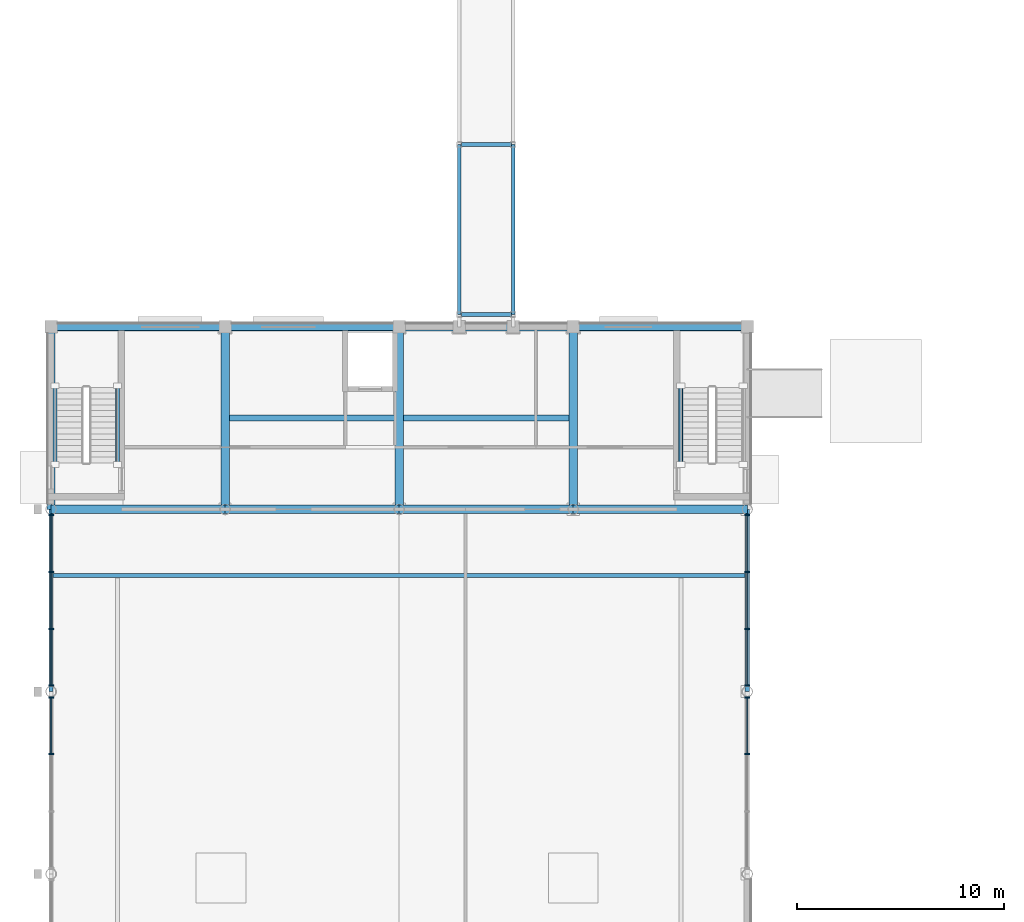
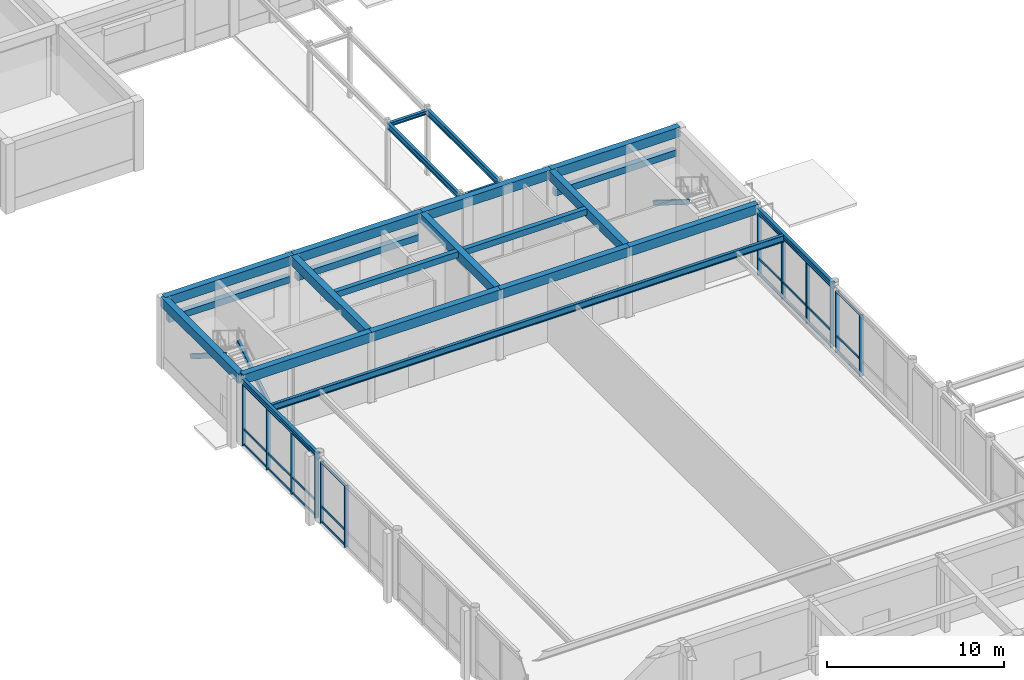
# One storey, part 14 of 58: 39 members, 24 beams, 4 elements without a shape of their own.
"""IFC4 building model written with IfcOpenShell, lengths in metres."""

from ifc_helpers import new_model, si_unit, direction, frame, origin, origin_2d, place, context, subcontext, project, spatial, rectangle, hollow_rectangle, i_section, extrude, material, material_profile, profile_set, type_object, element, aggregate, save


model = new_model("IFC4")

# Units and contexts
model_context = context("Model", 3, precision=1e-05, world=origin(), true_north=direction((0.0, 1.0)))
body_context = subcontext(model_context, "Body", "Model", "MODEL_VIEW")
ifc_project = project(units=[si_unit("LENGTHUNIT", "METRE"), si_unit("AREAUNIT", "SQUARE_METRE"), si_unit("VOLUMEUNIT", "CUBIC_METRE"), si_unit("PLANEANGLEUNIT", "RADIAN"), si_unit("MASSUNIT", "GRAM", prefix="KILO")], contexts=[model_context])

# Site, building, storey
site_placement = place(None, origin())
site = spatial("IfcSite", under=ifc_project, at=site_placement, CompositionType="ELEMENT")
building_placement = place(site_placement, origin())
building = spatial("IfcBuilding", under=site, at=building_placement, Name="Kemercrest Conservatory and Botanical Centre", CompositionType="ELEMENT")
storey_placement = place(building_placement, origin())
storey = spatial("IfcBuildingStorey", under=building, at=storey_placement, Name="L00", CompositionType="ELEMENT", Elevation=0.0)

# Beams
ifc_material_1 = material(Name="Steel CSA G40.21 350W", Category="steel")
ifc_material_profile_1 = material_profile(ifc_material_1, i_section(OverallWidth=0.180908203125, OverallDepth=0.4169921875, WebThickness=0.010986328125, FlangeThickness=0.018310546875, FilletRadius=0.01611328125, at=origin_2d()), Name="W410X85")
ifc_profile_set_1 = profile_set([ifc_material_profile_1], Name="Steel CSA G40.21 350W")
beam_type_1 = type_object("IfcBeamType", Name="BM-LB410", PredefinedType="BEAM", material=ifc_profile_set_1)
for number, where, z_axis, x_axis, name in (
    (1, (27.699951171875, 61.39990234375, 4.37158203125), (0.0, 1.0, 0.0), (-1.0, 0.0, 0.0), "Link bridge girder LB-01 SJ-2"),
    (2, (30.300048828125, 61.39990234375, 4.37158203125), (0.0, 1.0, 0.0), (-1.0, 0.0, 0.0), "Link bridge girder LB-01 SJ-2"),
):
    element("IfcBeam", number, at=place(storey_placement, frame(where, z_axis=z_axis, x_axis=x_axis)), inside=storey, type_object=beam_type_1, Name=name, PredefinedType="BEAM", context=body_context, shape_type="SweptSolid", body=[
        extrude(i_section(OverallWidth=0.180908203125, OverallDepth=0.4169921875, WebThickness=0.010986328125, FlangeThickness=0.018310546875, FilletRadius=0.01611328125, at=origin_2d()), origin(), (0.0, 0.0, 1.0), 8.2001953125),
    ])
ifc_material_2 = material(Name="Concrete C40/50", Category="concrete")
ifc_material_profile_2 = material_profile(ifc_material_2, rectangle(XDim=0.39990234375, YDim=0.64990234375, at=origin_2d()), Name="RC 400x650")
ifc_profile_set_2 = profile_set([ifc_material_profile_2], Name="Concrete C40/50")
beam_type_2 = type_object("IfcBeamType", Name="BM-RC65", PredefinedType="BEAM", material=ifc_profile_set_2)
for number, where, z_axis, x_axis, name in (
    (3, (16.39990234375, 52.0, 4.47509765625), (0.0, 1.0, 0.0), (-1.0, 0.0, 0.0), "V1BAR-L01 beam BM-RC65 02/F-G"),
    (4, (24.800048828125, 52.0, 4.47509765625), (0.0, 1.0, 0.0), (-1.0, 0.0, 0.0), "V1BAR-L01 beam BM-RC65 03/F-G"),
    (5, (33.199951171875, 52.0, 4.47509765625), (0.0, 1.0, 0.0), (-1.0, 0.0, 0.0), "V1BAR-L01 beam BM-RC65 04/F-G"),
):
    element("IfcBeam", number, at=place(storey_placement, frame(where, z_axis=z_axis, x_axis=x_axis)), inside=storey, type_object=beam_type_2, Name=name, PredefinedType="BEAM", context=body_context, shape_type="SweptSolid", body=[
        extrude(rectangle(XDim=0.39990234375, YDim=0.64990234375, at=origin_2d()), origin(), (0.0, 0.0, 1.0), 8.800048828125),
    ])
ifc_material_profile_3 = material_profile(ifc_material_1, i_section(OverallWidth=0.194091796875, OverallDepth=0.468994140625, WebThickness=0.0126953125, FlangeThickness=0.0205078125, FilletRadius=0.01806640625, at=origin_2d()), Name="W460X106")
ifc_profile_set_3 = profile_set([ifc_material_profile_3], Name="Steel CSA G40.21 350W")
beam_type_3 = type_object("IfcBeamType", Name="BM-W460", PredefinedType="BEAM", material=ifc_profile_set_3)
beam_1_placement = place(storey_placement, frame((41.5, 48.800048828125, 4.345458984375), z_axis=(-1.0, 0.0, 0.0), x_axis=(0.0, -1.0, 0.0)))
element("IfcBeam", 6, at=beam_1_placement, inside=storey, type_object=beam_type_3, Name="Conservatory canopy inner edge girder", PredefinedType="BEAM", context=body_context, shape_type="SweptSolid", body=[
    extrude(i_section(OverallWidth=0.194091796875, OverallDepth=0.468994140625, WebThickness=0.0126953125, FlangeThickness=0.0205078125, FilletRadius=0.01806640625, at=origin_2d()), origin(), (0.0, 0.0, 1.0), 33.39990234375),
])

# Curtain wall, members
ifc_material_3 = material(Name="Thermally broken aluminium and triple low-e glazing", Category="aluminium")
curtain_wall_type_1 = type_object("IfcCurtainWallType", Name="CW-03", PredefinedType="USERDEFINED", material=ifc_material_3)
curtain_wall_1_placement = place(storey_placement, origin())
curtain_wall_1 = element("IfcCurtainWall", 7, at=curtain_wall_1_placement, inside=storey, type_object=curtain_wall_type_1, Name="Unitised curtain wall CW-03 (CW:L00:V1-002)", ObjectType="UNITISED CURTAIN WALL", PredefinedType="USERDEFINED")
ifc_material_4 = material(Name="Thermally broken anodized aluminium 6063-T6", Category="aluminium")
ifc_material_profile_4 = material_profile(ifc_material_4, rectangle(XDim=0.239990234375, YDim=0.074951171875, at=origin_2d()), Name="AL MULLION 75x240")
ifc_profile_set_4 = profile_set([ifc_material_profile_4], Name="Thermally broken anodized aluminium 6063-T6")
member_type_1 = type_object("IfcMemberType", Name="CW-M225", PredefinedType="MULLION", material=ifc_profile_set_4)
member_1_placement = place(storey_placement, frame((41.60009765625, 40.18359375, 0.0), z_axis=(0.0, 0.0, 1.0), x_axis=(-1.0, 0.0, 0.0)))
member_1 = element("IfcMember", 8, at=member_1_placement, type_object=member_type_1, Name="CW-03 mullion 3", PredefinedType="MULLION", context=body_context, shape_type="SweptSolid", body=[
    extrude(rectangle(XDim=0.239990234375, YDim=0.074951171875, at=origin_2d()), origin(), (0.0, 0.0, 1.0), 4.23095703125),
])
member_2_placement = place(storey_placement, frame((41.60009765625, 42.91357421875, 0.0), z_axis=(0.0, 0.0, 1.0), x_axis=(-1.0, 0.0, 0.0)))
member_2 = element("IfcMember", 9, at=member_2_placement, type_object=member_type_1, Name="CW-03 mullion 4", PredefinedType="MULLION", context=body_context, shape_type="SweptSolid", body=[
    extrude(rectangle(XDim=0.239990234375, YDim=0.074951171875, at=origin_2d()), origin(), (0.0, 0.0, 1.0), 4.23095703125),
])

curtain_wall_type_2 = type_object("IfcCurtainWallType", Name="CW-04", PredefinedType="USERDEFINED", material=ifc_material_3)
curtain_wall_2_placement = place(storey_placement, origin())
curtain_wall_2 = element("IfcCurtainWall", 10, at=curtain_wall_2_placement, inside=storey, type_object=curtain_wall_type_2, Name="Unitised curtain wall CW-04 (CW:L00:V1-003)", ObjectType="UNITISED CURTAIN WALL", PredefinedType="USERDEFINED")
member_3_placement = place(storey_placement, frame((41.60009765625, 43.486572265625, 0.0), z_axis=(0.0, 0.0, 1.0), x_axis=(-1.0, 0.0, 0.0)))
member_3 = element("IfcMember", 11, at=member_3_placement, type_object=member_type_1, Name="CW-04 mullion 1", PredefinedType="MULLION", context=body_context, shape_type="SweptSolid", body=[
    extrude(rectangle(XDim=0.239990234375, YDim=0.074951171875, at=origin_2d()), origin(), (0.0, 0.0, 1.0), 4.23095703125),
])
member_4_placement = place(storey_placement, frame((41.60009765625, 46.21630859375, 0.0), z_axis=(0.0, 0.0, 1.0), x_axis=(-1.0, 0.0, 0.0)))
member_4 = element("IfcMember", 12, at=member_4_placement, type_object=member_type_1, Name="CW-04 mullion 2", PredefinedType="MULLION", context=body_context, shape_type="SweptSolid", body=[
    extrude(rectangle(XDim=0.239990234375, YDim=0.074951171875, at=origin_2d()), origin(), (0.0, 0.0, 1.0), 4.23095703125),
])
member_5_placement = place(storey_placement, frame((41.60009765625, 48.983642578125, 0.0), z_axis=(0.0, 0.0, 1.0), x_axis=(-1.0, 0.0, 0.0)))
member_5 = element("IfcMember", 13, at=member_5_placement, type_object=member_type_1, Name="CW-04 mullion 3", PredefinedType="MULLION", context=body_context, shape_type="SweptSolid", body=[
    extrude(rectangle(XDim=0.239990234375, YDim=0.074951171875, at=origin_2d()), origin(), (0.0, 0.0, 1.0), 4.23095703125),
])
member_6_placement = place(storey_placement, frame((41.60009765625, 51.71337890625, 0.0), z_axis=(0.0, 0.0, 1.0), x_axis=(-1.0, 0.0, 0.0)))
member_6 = element("IfcMember", 14, at=member_6_placement, type_object=member_type_1, Name="CW-04 mullion 4", PredefinedType="MULLION", context=body_context, shape_type="SweptSolid", body=[
    extrude(rectangle(XDim=0.239990234375, YDim=0.074951171875, at=origin_2d()), origin(), (0.0, 0.0, 1.0), 4.23095703125),
])

curtain_wall_type_3 = type_object("IfcCurtainWallType", Name="CW-05", PredefinedType="USERDEFINED", material=ifc_material_3)
curtain_wall_3_placement = place(storey_placement, origin())
curtain_wall_3 = element("IfcCurtainWall", 15, at=curtain_wall_3_placement, inside=storey, type_object=curtain_wall_type_3, Name="Unitised curtain wall CW-05 (CW:L00:V1-004)", ObjectType="UNITISED CURTAIN WALL", PredefinedType="USERDEFINED")
member_7_placement = place(storey_placement, frame((8.0, 51.71337890625, 0.0), z_axis=(0.0, 0.0, 1.0), x_axis=(1.0, 0.0, 0.0)))
member_7 = element("IfcMember", 16, at=member_7_placement, type_object=member_type_1, Name="CW-05 mullion 1", PredefinedType="MULLION", context=body_context, shape_type="SweptSolid", body=[
    extrude(rectangle(XDim=0.239990234375, YDim=0.074951171875, at=origin_2d()), origin(), (0.0, 0.0, 1.0), 4.23095703125),
])
member_8_placement = place(storey_placement, frame((8.0, 48.983642578125, 0.0), z_axis=(0.0, 0.0, 1.0), x_axis=(1.0, 0.0, 0.0)))
member_8 = element("IfcMember", 17, at=member_8_placement, type_object=member_type_1, Name="CW-05 mullion 2", PredefinedType="MULLION", context=body_context, shape_type="SweptSolid", body=[
    extrude(rectangle(XDim=0.239990234375, YDim=0.074951171875, at=origin_2d()), origin(), (0.0, 0.0, 1.0), 4.23095703125),
])
member_9_placement = place(storey_placement, frame((8.0, 46.21630859375, 0.0), z_axis=(0.0, 0.0, 1.0), x_axis=(1.0, 0.0, 0.0)))
member_9 = element("IfcMember", 18, at=member_9_placement, type_object=member_type_1, Name="CW-05 mullion 3", PredefinedType="MULLION", context=body_context, shape_type="SweptSolid", body=[
    extrude(rectangle(XDim=0.239990234375, YDim=0.074951171875, at=origin_2d()), origin(), (0.0, 0.0, 1.0), 4.23095703125),
])
member_10_placement = place(storey_placement, frame((8.0, 43.486572265625, 0.0), z_axis=(0.0, 0.0, 1.0), x_axis=(1.0, 0.0, 0.0)))
member_10 = element("IfcMember", 19, at=member_10_placement, type_object=member_type_1, Name="CW-05 mullion 4", PredefinedType="MULLION", context=body_context, shape_type="SweptSolid", body=[
    extrude(rectangle(XDim=0.239990234375, YDim=0.074951171875, at=origin_2d()), origin(), (0.0, 0.0, 1.0), 4.23095703125),
])

curtain_wall_type_4 = type_object("IfcCurtainWallType", Name="CW-06", PredefinedType="USERDEFINED", material=ifc_material_3)
curtain_wall_4_placement = place(storey_placement, origin())
curtain_wall_4 = element("IfcCurtainWall", 20, at=curtain_wall_4_placement, inside=storey, type_object=curtain_wall_type_4, Name="Unitised curtain wall CW-06 (CW:L00:V1-005)", ObjectType="UNITISED CURTAIN WALL", PredefinedType="USERDEFINED")
member_11_placement = place(storey_placement, frame((8.0, 42.91357421875, 0.0), z_axis=(0.0, 0.0, 1.0), x_axis=(1.0, 0.0, 0.0)))
member_11 = element("IfcMember", 21, at=member_11_placement, type_object=member_type_1, Name="CW-06 mullion 1", PredefinedType="MULLION", context=body_context, shape_type="SweptSolid", body=[
    extrude(rectangle(XDim=0.239990234375, YDim=0.074951171875, at=origin_2d()), origin(), (0.0, 0.0, 1.0), 4.23095703125),
])
member_12_placement = place(storey_placement, frame((8.0, 40.18359375, 0.0), z_axis=(0.0, 0.0, 1.0), x_axis=(1.0, 0.0, 0.0)))
member_12 = element("IfcMember", 22, at=member_12_placement, type_object=member_type_1, Name="CW-06 mullion 2", PredefinedType="MULLION", context=body_context, shape_type="SweptSolid", body=[
    extrude(rectangle(XDim=0.239990234375, YDim=0.074951171875, at=origin_2d()), origin(), (0.0, 0.0, 1.0), 4.23095703125),
])

# Member
ifc_material_profile_5 = material_profile(ifc_material_4, rectangle(XDim=0.06494140625, YDim=0.14990234375, at=origin_2d()), Name="AL TRANSOM 65x150")
ifc_profile_set_5 = profile_set([ifc_material_profile_5], Name="Thermally broken anodized aluminium 6063-T6")
member_type_2 = type_object("IfcMemberType", Name="CW-T200", PredefinedType="USERDEFINED", material=ifc_profile_set_5)
member_13_placement = place(storey_placement, frame((41.60009765625, 40.22119140625, 0.074951171875), z_axis=(0.0, 1.0, 0.0), x_axis=(-1.0, 0.0, 0.0)))
member_13 = element("IfcMember", 23, at=member_13_placement, type_object=member_type_2, Name="CW-03 transom 3.1", ObjectType="TRANSOM", PredefinedType="USERDEFINED", context=body_context, shape_type="SweptSolid", body=[
    extrude(rectangle(XDim=0.06494140625, YDim=0.14990234375, at=origin_2d()), origin(), (0.0, 0.0, 1.0), 2.65478515625),
])

member_14_placement = place(storey_placement, frame((41.60009765625, 40.22119140625, 1.1201171875), z_axis=(0.0, 1.0, 0.0), x_axis=(-1.0, 0.0, 0.0)))
member_14 = element("IfcMember", 24, at=member_14_placement, type_object=member_type_2, Name="CW-03 transom 3.2", ObjectType="TRANSOM", PredefinedType="USERDEFINED", context=body_context, shape_type="SweptSolid", body=[
    extrude(rectangle(XDim=0.06494140625, YDim=0.14990234375, at=origin_2d()), origin(), (0.0, 0.0, 1.0), 2.65478515625),
])

member_15_placement = place(storey_placement, frame((41.60009765625, 40.22119140625, 4.156005859375), z_axis=(0.0, 1.0, 0.0), x_axis=(-1.0, 0.0, 0.0)))
member_15 = element("IfcMember", 25, at=member_15_placement, type_object=member_type_2, Name="CW-03 transom 3.3", ObjectType="TRANSOM", PredefinedType="USERDEFINED", context=body_context, shape_type="SweptSolid", body=[
    extrude(rectangle(XDim=0.06494140625, YDim=0.14990234375, at=origin_2d()), origin(), (0.0, 0.0, 1.0), 2.65478515625),
])

aggregate(curtain_wall_1, [member_1, member_2, member_13, member_14, member_15])

member_16_placement = place(storey_placement, frame((41.60009765625, 43.52392578125, 0.074951171875), z_axis=(0.0, 1.0, 0.0), x_axis=(-1.0, 0.0, 0.0)))
member_16 = element("IfcMember", 26, at=member_16_placement, type_object=member_type_2, Name="CW-04 transom 1.1", ObjectType="TRANSOM", PredefinedType="USERDEFINED", context=body_context, shape_type="SweptSolid", body=[
    extrude(rectangle(XDim=0.06494140625, YDim=0.14990234375, at=origin_2d()), origin(), (0.0, 0.0, 1.0), 2.655029296875),
])

member_17_placement = place(storey_placement, frame((41.60009765625, 43.52392578125, 1.1201171875), z_axis=(0.0, 1.0, 0.0), x_axis=(-1.0, 0.0, 0.0)))
member_17 = element("IfcMember", 27, at=member_17_placement, type_object=member_type_2, Name="CW-04 transom 1.2", ObjectType="TRANSOM", PredefinedType="USERDEFINED", context=body_context, shape_type="SweptSolid", body=[
    extrude(rectangle(XDim=0.06494140625, YDim=0.14990234375, at=origin_2d()), origin(), (0.0, 0.0, 1.0), 2.655029296875),
])

member_18_placement = place(storey_placement, frame((41.60009765625, 43.52392578125, 4.156005859375), z_axis=(0.0, 1.0, 0.0), x_axis=(-1.0, 0.0, 0.0)))
member_18 = element("IfcMember", 28, at=member_18_placement, type_object=member_type_2, Name="CW-04 transom 1.3", ObjectType="TRANSOM", PredefinedType="USERDEFINED", context=body_context, shape_type="SweptSolid", body=[
    extrude(rectangle(XDim=0.06494140625, YDim=0.14990234375, at=origin_2d()), origin(), (0.0, 0.0, 1.0), 2.655029296875),
])

member_19_placement = place(storey_placement, frame((41.60009765625, 46.25390625, 0.074951171875), z_axis=(0.0, 1.0, 0.0), x_axis=(-1.0, 0.0, 0.0)))
member_19 = element("IfcMember", 29, at=member_19_placement, type_object=member_type_2, Name="CW-04 transom 2.1", ObjectType="TRANSOM", PredefinedType="USERDEFINED", context=body_context, shape_type="SweptSolid", body=[
    extrude(rectangle(XDim=0.06494140625, YDim=0.14990234375, at=origin_2d()), origin(), (0.0, 0.0, 1.0), 2.692138671875),
])

member_20_placement = place(storey_placement, frame((41.60009765625, 46.25390625, 1.1201171875), z_axis=(0.0, 1.0, 0.0), x_axis=(-1.0, 0.0, 0.0)))
member_20 = element("IfcMember", 30, at=member_20_placement, type_object=member_type_2, Name="CW-04 transom 2.2", ObjectType="TRANSOM", PredefinedType="USERDEFINED", context=body_context, shape_type="SweptSolid", body=[
    extrude(rectangle(XDim=0.06494140625, YDim=0.14990234375, at=origin_2d()), origin(), (0.0, 0.0, 1.0), 2.692138671875),
])

member_21_placement = place(storey_placement, frame((41.60009765625, 46.25390625, 4.156005859375), z_axis=(0.0, 1.0, 0.0), x_axis=(-1.0, 0.0, 0.0)))
member_21 = element("IfcMember", 31, at=member_21_placement, type_object=member_type_2, Name="CW-04 transom 2.3", ObjectType="TRANSOM", PredefinedType="USERDEFINED", context=body_context, shape_type="SweptSolid", body=[
    extrude(rectangle(XDim=0.06494140625, YDim=0.14990234375, at=origin_2d()), origin(), (0.0, 0.0, 1.0), 2.692138671875),
])

member_22_placement = place(storey_placement, frame((41.60009765625, 49.021240234375, 0.074951171875), z_axis=(0.0, 1.0, 0.0), x_axis=(-1.0, 0.0, 0.0)))
member_22 = element("IfcMember", 32, at=member_22_placement, type_object=member_type_2, Name="CW-04 transom 3.1", ObjectType="TRANSOM", PredefinedType="USERDEFINED", context=body_context, shape_type="SweptSolid", body=[
    extrude(rectangle(XDim=0.06494140625, YDim=0.14990234375, at=origin_2d()), origin(), (0.0, 0.0, 1.0), 2.65478515625),
])

member_23_placement = place(storey_placement, frame((41.60009765625, 49.021240234375, 1.1201171875), z_axis=(0.0, 1.0, 0.0), x_axis=(-1.0, 0.0, 0.0)))
member_23 = element("IfcMember", 33, at=member_23_placement, type_object=member_type_2, Name="CW-04 transom 3.2", ObjectType="TRANSOM", PredefinedType="USERDEFINED", context=body_context, shape_type="SweptSolid", body=[
    extrude(rectangle(XDim=0.06494140625, YDim=0.14990234375, at=origin_2d()), origin(), (0.0, 0.0, 1.0), 2.65478515625),
])

member_24_placement = place(storey_placement, frame((41.60009765625, 49.021240234375, 4.156005859375), z_axis=(0.0, 1.0, 0.0), x_axis=(-1.0, 0.0, 0.0)))
member_24 = element("IfcMember", 34, at=member_24_placement, type_object=member_type_2, Name="CW-04 transom 3.3", ObjectType="TRANSOM", PredefinedType="USERDEFINED", context=body_context, shape_type="SweptSolid", body=[
    extrude(rectangle(XDim=0.06494140625, YDim=0.14990234375, at=origin_2d()), origin(), (0.0, 0.0, 1.0), 2.65478515625),
])

aggregate(curtain_wall_2, [member_3, member_4, member_5, member_6, member_16, member_17, member_18, member_19, member_20, member_21, member_22, member_23, member_24])

member_25_placement = place(storey_placement, frame((8.0, 51.676025390625, 0.074951171875), z_axis=(0.0, -1.0, 0.0), x_axis=(1.0, 0.0, 0.0)))
member_25 = element("IfcMember", 35, at=member_25_placement, type_object=member_type_2, Name="CW-05 transom 1.1", ObjectType="TRANSOM", PredefinedType="USERDEFINED", context=body_context, shape_type="SweptSolid", body=[
    extrude(rectangle(XDim=0.06494140625, YDim=0.14990234375, at=origin_2d()), origin(), (0.0, 0.0, 1.0), 2.65478515625),
])

member_26_placement = place(storey_placement, frame((8.0, 51.676025390625, 1.1201171875), z_axis=(0.0, -1.0, 0.0), x_axis=(1.0, 0.0, 0.0)))
member_26 = element("IfcMember", 36, at=member_26_placement, type_object=member_type_2, Name="CW-05 transom 1.2", ObjectType="TRANSOM", PredefinedType="USERDEFINED", context=body_context, shape_type="SweptSolid", body=[
    extrude(rectangle(XDim=0.06494140625, YDim=0.14990234375, at=origin_2d()), origin(), (0.0, 0.0, 1.0), 2.65478515625),
])

member_27_placement = place(storey_placement, frame((8.0, 51.676025390625, 4.156005859375), z_axis=(0.0, -1.0, 0.0), x_axis=(1.0, 0.0, 0.0)))
member_27 = element("IfcMember", 37, at=member_27_placement, type_object=member_type_2, Name="CW-05 transom 1.3", ObjectType="TRANSOM", PredefinedType="USERDEFINED", context=body_context, shape_type="SweptSolid", body=[
    extrude(rectangle(XDim=0.06494140625, YDim=0.14990234375, at=origin_2d()), origin(), (0.0, 0.0, 1.0), 2.65478515625),
])

member_28_placement = place(storey_placement, frame((8.0, 48.946044921875, 0.074951171875), z_axis=(0.0, -1.0, 0.0), x_axis=(1.0, 0.0, 0.0)))
member_28 = element("IfcMember", 38, at=member_28_placement, type_object=member_type_2, Name="CW-05 transom 2.1", ObjectType="TRANSOM", PredefinedType="USERDEFINED", context=body_context, shape_type="SweptSolid", body=[
    extrude(rectangle(XDim=0.06494140625, YDim=0.14990234375, at=origin_2d()), origin(), (0.0, 0.0, 1.0), 2.692138671875),
])

member_29_placement = place(storey_placement, frame((8.0, 48.946044921875, 1.1201171875), z_axis=(0.0, -1.0, 0.0), x_axis=(1.0, 0.0, 0.0)))
member_29 = element("IfcMember", 39, at=member_29_placement, type_object=member_type_2, Name="CW-05 transom 2.2", ObjectType="TRANSOM", PredefinedType="USERDEFINED", context=body_context, shape_type="SweptSolid", body=[
    extrude(rectangle(XDim=0.06494140625, YDim=0.14990234375, at=origin_2d()), origin(), (0.0, 0.0, 1.0), 2.692138671875),
])

member_30_placement = place(storey_placement, frame((8.0, 48.946044921875, 4.156005859375), z_axis=(0.0, -1.0, 0.0), x_axis=(1.0, 0.0, 0.0)))
member_30 = element("IfcMember", 40, at=member_30_placement, type_object=member_type_2, Name="CW-05 transom 2.3", ObjectType="TRANSOM", PredefinedType="USERDEFINED", context=body_context, shape_type="SweptSolid", body=[
    extrude(rectangle(XDim=0.06494140625, YDim=0.14990234375, at=origin_2d()), origin(), (0.0, 0.0, 1.0), 2.692138671875),
])

member_31_placement = place(storey_placement, frame((8.0, 46.178955078125, 0.074951171875), z_axis=(0.0, -1.0, 0.0), x_axis=(1.0, 0.0, 0.0)))
member_31 = element("IfcMember", 41, at=member_31_placement, type_object=member_type_2, Name="CW-05 transom 3.1", ObjectType="TRANSOM", PredefinedType="USERDEFINED", context=body_context, shape_type="SweptSolid", body=[
    extrude(rectangle(XDim=0.06494140625, YDim=0.14990234375, at=origin_2d()), origin(), (0.0, 0.0, 1.0), 2.655029296875),
])

member_32_placement = place(storey_placement, frame((8.0, 46.178955078125, 1.1201171875), z_axis=(0.0, -1.0, 0.0), x_axis=(1.0, 0.0, 0.0)))
member_32 = element("IfcMember", 42, at=member_32_placement, type_object=member_type_2, Name="CW-05 transom 3.2", ObjectType="TRANSOM", PredefinedType="USERDEFINED", context=body_context, shape_type="SweptSolid", body=[
    extrude(rectangle(XDim=0.06494140625, YDim=0.14990234375, at=origin_2d()), origin(), (0.0, 0.0, 1.0), 2.655029296875),
])

member_33_placement = place(storey_placement, frame((8.0, 46.178955078125, 4.156005859375), z_axis=(0.0, -1.0, 0.0), x_axis=(1.0, 0.0, 0.0)))
member_33 = element("IfcMember", 43, at=member_33_placement, type_object=member_type_2, Name="CW-05 transom 3.3", ObjectType="TRANSOM", PredefinedType="USERDEFINED", context=body_context, shape_type="SweptSolid", body=[
    extrude(rectangle(XDim=0.06494140625, YDim=0.14990234375, at=origin_2d()), origin(), (0.0, 0.0, 1.0), 2.655029296875),
])

aggregate(curtain_wall_3, [member_7, member_8, member_9, member_10, member_25, member_26, member_27, member_28, member_29, member_30, member_31, member_32, member_33])

member_34_placement = place(storey_placement, frame((8.0, 42.8759765625, 0.074951171875), z_axis=(0.0, -1.0, 0.0), x_axis=(1.0, 0.0, 0.0)))
member_34 = element("IfcMember", 44, at=member_34_placement, type_object=member_type_2, Name="CW-06 transom 1.1", ObjectType="TRANSOM", PredefinedType="USERDEFINED", context=body_context, shape_type="SweptSolid", body=[
    extrude(rectangle(XDim=0.06494140625, YDim=0.14990234375, at=origin_2d()), origin(), (0.0, 0.0, 1.0), 2.65478515625),
])

member_35_placement = place(storey_placement, frame((8.0, 42.8759765625, 1.1201171875), z_axis=(0.0, -1.0, 0.0), x_axis=(1.0, 0.0, 0.0)))
member_35 = element("IfcMember", 45, at=member_35_placement, type_object=member_type_2, Name="CW-06 transom 1.2", ObjectType="TRANSOM", PredefinedType="USERDEFINED", context=body_context, shape_type="SweptSolid", body=[
    extrude(rectangle(XDim=0.06494140625, YDim=0.14990234375, at=origin_2d()), origin(), (0.0, 0.0, 1.0), 2.65478515625),
])

member_36_placement = place(storey_placement, frame((8.0, 42.8759765625, 4.156005859375), z_axis=(0.0, -1.0, 0.0), x_axis=(1.0, 0.0, 0.0)))
member_36 = element("IfcMember", 46, at=member_36_placement, type_object=member_type_2, Name="CW-06 transom 1.3", ObjectType="TRANSOM", PredefinedType="USERDEFINED", context=body_context, shape_type="SweptSolid", body=[
    extrude(rectangle(XDim=0.06494140625, YDim=0.14990234375, at=origin_2d()), origin(), (0.0, 0.0, 1.0), 2.65478515625),
])

aggregate(curtain_wall_4, [member_11, member_12, member_34, member_35, member_36])

# Beams
ifc_material_profile_6 = material_profile(ifc_material_2, rectangle(XDim=0.300048828125, YDim=0.419921875, at=origin_2d()), Name="RC 300x420")
ifc_profile_set_6 = profile_set([ifc_material_profile_6], Name="Concrete C40/50")
beam_type_4 = type_object("IfcBeamType", Name="JS-RC42", PredefinedType="JOIST", material=ifc_profile_set_6)
for number, where, z_axis, x_axis, name in (
    (47, (16.60009765625, 56.39990234375, 4.590087890625), (1.0, 0.0, 0.0), (0.0, 1.0, 0.0), "V1BAR-L01 secondary joist JS-RC42"),
    (48, (25.0, 56.39990234375, 4.590087890625), (1.0, 0.0, 0.0), (0.0, 1.0, 0.0), "V1BAR-L01 secondary joist JS-RC42"),
):
    element("IfcBeam", number, at=place(storey_placement, frame(where, z_axis=z_axis, x_axis=x_axis)), inside=storey, type_object=beam_type_4, Name=name, PredefinedType="JOIST", context=body_context, shape_type="SweptSolid", body=[
        extrude(rectangle(XDim=0.300048828125, YDim=0.419921875, at=origin_2d()), origin(), (0.0, 0.0, 1.0), 8.0),
    ])
ifc_material_profile_7 = material_profile(ifc_material_1, i_section(OverallWidth=0.202880859375, OverallDepth=0.251953125, WebThickness=0.008056640625, FlangeThickness=0.013427734375, FilletRadius=0.010986328125, at=origin_2d()), Name="W250X58")
ifc_profile_set_7 = profile_set([ifc_material_profile_7], Name="Steel CSA G40.21 350W")
beam_type_5 = type_object("IfcBeamType", Name="JS-W250", PredefinedType="JOIST", material=ifc_profile_set_7)
for number, where, z_axis, x_axis, name in (
    (49, (27.79052734375, 61.39990234375, 4.37158203125), (1.0, 0.0, 0.0), (0.0, 1.0, 0.0), "Link bridge cross beam SJ-2"),
    (50, (27.79052734375, 69.60009765625, 4.37158203125), (1.0, 0.0, 0.0), (0.0, 1.0, 0.0), "Link bridge cross beam SJ-2"),
):
    element("IfcBeam", number, at=place(storey_placement, frame(where, z_axis=z_axis, x_axis=x_axis)), inside=storey, type_object=beam_type_5, Name=name, PredefinedType="JOIST", context=body_context, shape_type="SweptSolid", body=[
        extrude(i_section(OverallWidth=0.202880859375, OverallDepth=0.251953125, WebThickness=0.008056640625, FlangeThickness=0.013427734375, FilletRadius=0.010986328125, at=origin_2d()), origin(), (0.0, 0.0, 1.0), 2.4189453125),
    ])
ifc_material_profile_8 = material_profile(ifc_material_1, i_section(OverallWidth=0.205078125, OverallDepth=0.35400390625, WebThickness=0.009521484375, FlangeThickness=0.016845703125, FilletRadius=0.014892578125, at=origin_2d()), Name="W360X79")
ifc_profile_set_8 = profile_set([ifc_material_profile_8], Name="Steel CSA G40.21 350W")
beam_type_6 = type_object("IfcBeamType", Name="JS-W360", PredefinedType="JOIST", material=ifc_profile_set_8)
for number, where, z_axis, x_axis, name in (
    (51, (8.0, 43.199951171875, 4.403076171875), (0.0, 1.0, 0.0), (-1.0, 0.0, 0.0), "Conservatory canopy perimeter beam"),
    (52, (41.60009765625, 43.199951171875, 4.403076171875), (0.0, 1.0, 0.0), (-1.0, 0.0, 0.0), "Conservatory canopy perimeter beam"),
):
    element("IfcBeam", number, at=place(storey_placement, frame(where, z_axis=z_axis, x_axis=x_axis)), inside=storey, type_object=beam_type_6, Name=name, PredefinedType="JOIST", context=body_context, shape_type="SweptSolid", body=[
        extrude(i_section(OverallWidth=0.205078125, OverallDepth=0.35400390625, WebThickness=0.009521484375, FlangeThickness=0.016845703125, FilletRadius=0.014892578125, at=origin_2d()), origin(), (0.0, 0.0, 1.0), 8.800048828125),
    ])
ifc_material_5 = material(Name="Precast concrete C40/50", Category="concrete")
ifc_material_profile_9 = material_profile(ifc_material_5, rectangle(XDim=0.35009765625, YDim=0.449951171875, at=origin_2d()), Name="RC 350x450")
ifc_profile_set_9 = profile_set([ifc_material_profile_9], Name="Precast concrete C40/50")
beam_type_7 = type_object("IfcBeamType", Name="LN-RC45", PredefinedType="LINTEL", material=ifc_profile_set_9)
for number, where, z_axis, x_axis, name in (
    (53, (41.35009765625, 60.800048828125, 3.074951171875), (-1.0, 0.0, 0.0), (0.0, -1.0, 0.0), "Precast arched window lintel (WIN:L00:EXT-007)"),
    (54, (24.550048828125, 60.800048828125, 3.125), (-1.0, 0.0, 0.0), (0.0, -1.0, 0.0), "Precast arched window lintel (WIN:L00:EXT-009)"),
):
    element("IfcBeam", number, at=place(storey_placement, frame(where, z_axis=z_axis, x_axis=x_axis)), inside=storey, type_object=beam_type_7, Name=name, PredefinedType="LINTEL", context=body_context, shape_type="SweptSolid", body=[
        extrude(rectangle(XDim=0.35009765625, YDim=0.449951171875, at=origin_2d()), origin(), (0.0, 0.0, 1.0), 7.900146484375),
    ])
beam_2_placement = place(storey_placement, frame((16.14990234375, 60.800048828125, 3.175048828125), z_axis=(-1.0, 0.0, 0.0), x_axis=(0.0, -1.0, 0.0)))
element("IfcBeam", 55, at=beam_2_placement, inside=storey, type_object=beam_type_7, Name="Precast arched window lintel (WIN:L00:EXT-010)", PredefinedType="LINTEL", context=body_context, shape_type="SweptSolid", body=[
    extrude(rectangle(XDim=0.35009765625, YDim=0.449951171875, at=origin_2d()), origin(), (0.0, 0.0, 1.0), 7.89990234375),
])
ifc_material_profile_10 = material_profile(ifc_material_2, rectangle(XDim=0.39990234375, YDim=0.64990234375, at=origin_2d()), Name="RC 400x650")
ifc_profile_set_10 = profile_set([ifc_material_profile_10], Name="Concrete C40/50")
beam_type_8 = type_object("IfcBeamType", Name="SP-RC65", PredefinedType="SPANDREL", material=ifc_profile_set_10)
beam_3_placement = place(storey_placement, frame((8.0, 52.0, 4.47509765625), z_axis=(1.0, 0.0, 0.0), x_axis=(0.0, 1.0, 0.0)))
element("IfcBeam", 56, at=beam_3_placement, inside=storey, type_object=beam_type_8, Name="V1BAR-L01 beam SP-RC65 F/01-02", PredefinedType="SPANDREL", context=body_context, shape_type="SweptSolid", body=[
    extrude(rectangle(XDim=0.39990234375, YDim=0.64990234375, at=origin_2d()), origin(), (0.0, 0.0, 1.0), 8.39990234375),
])
beam_4_placement = place(storey_placement, frame((16.39990234375, 52.0, 4.47509765625), z_axis=(1.0, 0.0, 0.0), x_axis=(0.0, 1.0, 0.0)))
element("IfcBeam", 57, at=beam_4_placement, inside=storey, type_object=beam_type_8, Name="V1BAR-L01 beam SP-RC65 F/02-03", PredefinedType="SPANDREL", context=body_context, shape_type="SweptSolid", body=[
    extrude(rectangle(XDim=0.39990234375, YDim=0.64990234375, at=origin_2d()), origin(), (0.0, 0.0, 1.0), 8.400146484375),
])
beam_5_placement = place(storey_placement, frame((24.800048828125, 52.0, 4.47509765625), z_axis=(1.0, 0.0, 0.0), x_axis=(0.0, 1.0, 0.0)))
element("IfcBeam", 58, at=beam_5_placement, inside=storey, type_object=beam_type_8, Name="V1BAR-L01 beam SP-RC65 F/03-04", PredefinedType="SPANDREL", context=body_context, shape_type="SweptSolid", body=[
    extrude(rectangle(XDim=0.39990234375, YDim=0.64990234375, at=origin_2d()), origin(), (0.0, 0.0, 1.0), 8.39990234375),
])
beam_6_placement = place(storey_placement, frame((33.199951171875, 52.0, 4.47509765625), z_axis=(1.0, 0.0, 0.0), x_axis=(0.0, 1.0, 0.0)))
element("IfcBeam", 59, at=beam_6_placement, inside=storey, type_object=beam_type_8, Name="V1BAR-L01 beam SP-RC65 F/04-05", PredefinedType="SPANDREL", context=body_context, shape_type="SweptSolid", body=[
    extrude(rectangle(XDim=0.39990234375, YDim=0.64990234375, at=origin_2d()), origin(), (0.0, 0.0, 1.0), 8.400146484375),
])
beam_7_placement = place(storey_placement, frame((8.0, 60.800048828125, 4.47509765625), z_axis=(1.0, 0.0, 0.0), x_axis=(0.0, 1.0, 0.0)))
element("IfcBeam", 60, at=beam_7_placement, inside=storey, type_object=beam_type_8, Name="V1BAR-L01 beam SP-RC65 G/01-02", PredefinedType="SPANDREL", context=body_context, shape_type="SweptSolid", body=[
    extrude(rectangle(XDim=0.39990234375, YDim=0.64990234375, at=origin_2d()), origin(), (0.0, 0.0, 1.0), 8.39990234375),
])
beam_8_placement = place(storey_placement, frame((16.39990234375, 60.800048828125, 4.47509765625), z_axis=(1.0, 0.0, 0.0), x_axis=(0.0, 1.0, 0.0)))
element("IfcBeam", 61, at=beam_8_placement, inside=storey, type_object=beam_type_8, Name="V1BAR-L01 beam SP-RC65 G/02-03", PredefinedType="SPANDREL", context=body_context, shape_type="SweptSolid", body=[
    extrude(rectangle(XDim=0.39990234375, YDim=0.64990234375, at=origin_2d()), origin(), (0.0, 0.0, 1.0), 8.400146484375),
])
beam_9_placement = place(storey_placement, frame((24.800048828125, 60.800048828125, 4.47509765625), z_axis=(1.0, 0.0, 0.0), x_axis=(0.0, 1.0, 0.0)))
element("IfcBeam", 62, at=beam_9_placement, inside=storey, type_object=beam_type_8, Name="V1BAR-L01 beam SP-RC65 G/03-04", PredefinedType="SPANDREL", context=body_context, shape_type="SweptSolid", body=[
    extrude(rectangle(XDim=0.39990234375, YDim=0.64990234375, at=origin_2d()), origin(), (0.0, 0.0, 1.0), 8.39990234375),
])
beam_10_placement = place(storey_placement, frame((33.199951171875, 60.800048828125, 4.47509765625), z_axis=(1.0, 0.0, 0.0), x_axis=(0.0, 1.0, 0.0)))
element("IfcBeam", 63, at=beam_10_placement, inside=storey, type_object=beam_type_8, Name="V1BAR-L01 beam SP-RC65 G/04-05", PredefinedType="SPANDREL", context=body_context, shape_type="SweptSolid", body=[
    extrude(rectangle(XDim=0.39990234375, YDim=0.64990234375, at=origin_2d()), origin(), (0.0, 0.0, 1.0), 8.400146484375),
])
beam_11_placement = place(storey_placement, frame((8.0, 52.0, 4.47509765625), z_axis=(0.0, 1.0, 0.0), x_axis=(-1.0, 0.0, 0.0)))
element("IfcBeam", 64, at=beam_11_placement, inside=storey, type_object=beam_type_8, Name="V1BAR-L01 beam SP-RC65 01/F-G", PredefinedType="SPANDREL", context=body_context, shape_type="SweptSolid", body=[
    extrude(rectangle(XDim=0.39990234375, YDim=0.64990234375, at=origin_2d()), origin(), (0.0, 0.0, 1.0), 8.800048828125),
])

# Members
ifc_material_profile_11 = material_profile(ifc_material_1, hollow_rectangle(XDim=0.203125, YDim=0.3046875, WallThickness=0.0126953125, InnerFilletRadius=0.0126953125, OuterFilletRadius=0.02490234375, at=origin_2d()), Name="HSS 305x203x12.7")
ifc_profile_set_11 = profile_set([ifc_material_profile_11], Name="Steel CSA G40.21 350W")
member_type_3 = type_object("IfcMemberType", Name="SR-STR305", PredefinedType="STRINGER", material=ifc_profile_set_11)
for number, where, z_axis, x_axis, name in (
    (65, (11.2099609375, 54.159912109375, -0.10009765625), (0.0, 0.84748707537, 0.530816029411), (-1.0, 0.0, 0.0), "Stair ST-V1A steel stringer #3"),
    (66, (8.18994140625, 54.159912109375, 4.679931640625), (0.0, 0.847511569253, -0.53077692111), (-1.0, 0.0, 0.0), "Stair ST-V1A steel stringer #4"),
    (67, (38.389892578125, 54.159912109375, 4.679931640625), (0.0, 0.847511569253, -0.53077692111), (-1.0, 0.0, 0.0), "Stair ST-V1B steel stringer #8"),
):
    element("IfcMember", number, at=place(storey_placement, frame(where, z_axis=z_axis, x_axis=x_axis)), inside=storey, type_object=member_type_3, Name=name, PredefinedType="STRINGER", context=body_context, shape_type="SweptSolid", body=[
        extrude(hollow_rectangle(XDim=0.203125, YDim=0.3046875, WallThickness=0.0126953125, InnerFilletRadius=0.0126953125, OuterFilletRadius=0.02490234375, at=origin_2d()), origin(), (0.0, 0.0, 1.0), 4.48388671875),
    ])

save(model, "model.ifc")
